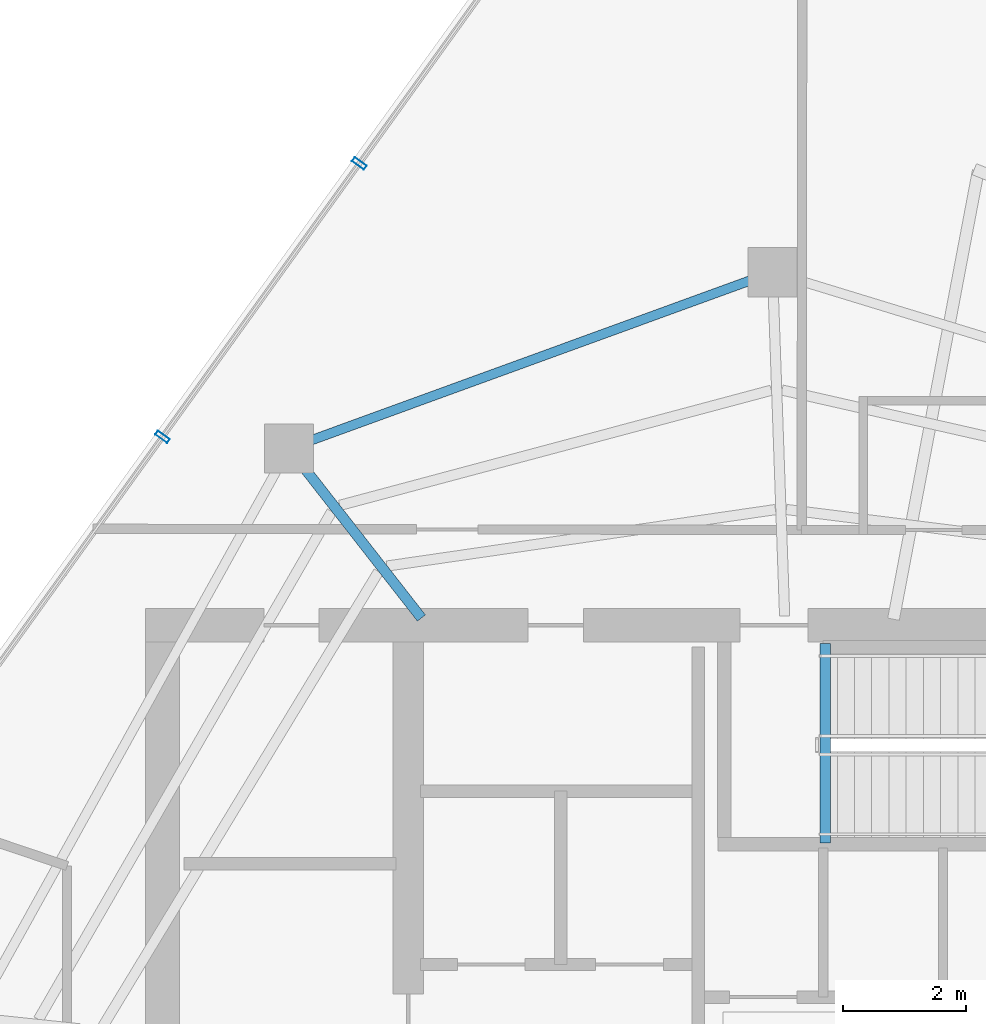
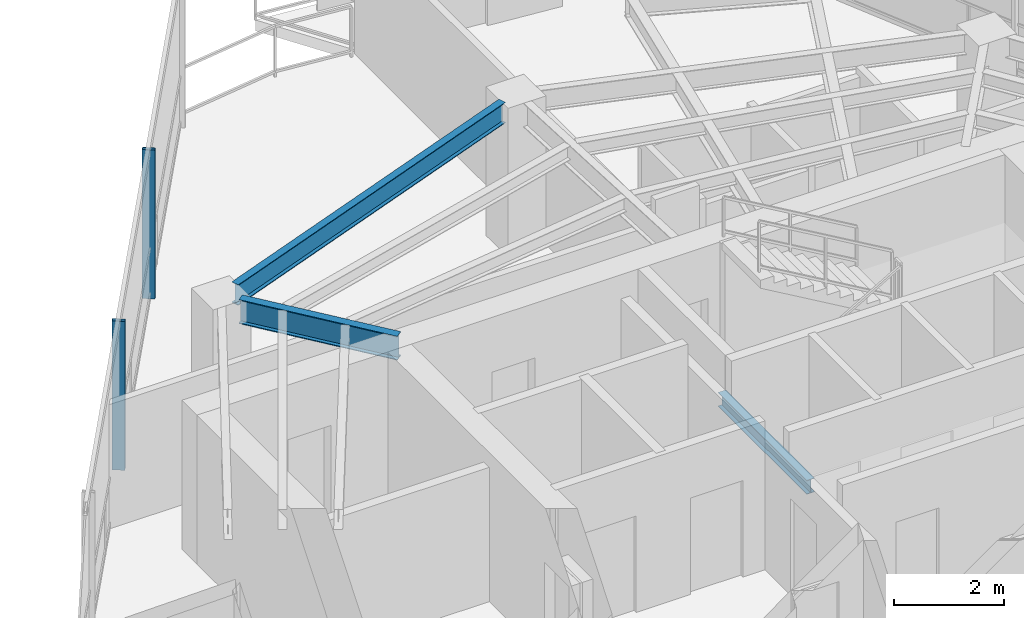
# One storey, part 8 of 18: 3 beams, 2 members, 1 element without a shape of its own.
"""IFC4 building model written with IfcOpenShell, lengths in metres."""

from ifc_helpers import new_model, si_unit, direction, frame, origin, origin_2d, place, context, subcontext, project, spatial, hollow_rectangle, i_section, extrude, material, layer, layer_set, material_profile, profile_set, type_object, element, aggregate, save


model = new_model("IFC4")

# Units and contexts
model_context = context("Model", 3, precision=1e-05, world=origin(), true_north=direction((0.0, 1.0)))
body_context = subcontext(model_context, "Body", "Model", "MODEL_VIEW")
ifc_project = project(units=[si_unit("LENGTHUNIT", "METRE"), si_unit("AREAUNIT", "SQUARE_METRE"), si_unit("VOLUMEUNIT", "CUBIC_METRE"), si_unit("PLANEANGLEUNIT", "RADIAN"), si_unit("MASSUNIT", "GRAM", prefix="KILO")], contexts=[model_context])

# Site, building, storey
site_placement = place(None, origin())
site = spatial("IfcSite", under=ifc_project, at=site_placement, CompositionType="ELEMENT")
building_placement = place(site_placement, origin())
building = spatial("IfcBuilding", under=site, at=building_placement, Name="Qarnah Convention Tower", CompositionType="ELEMENT")
storey_placement = place(building_placement, frame((0.0, 0.0, 271.5)))
storey = spatial("IfcBuildingStorey", under=building, at=storey_placement, Name="L73", CompositionType="ELEMENT", Elevation=271.5)

# Beams
ifc_material_1 = material(Name="Structural steel S355JR", Category="steel")
ifc_material_profile_1 = material_profile(ifc_material_1, i_section(OverallWidth=0.166015625, OverallDepth=0.31201171875, WebThickness=0.007080078125, FlangeThickness=0.010986328125, at=origin_2d()), Name="W310X45")
ifc_profile_set_1 = profile_set([ifc_material_profile_1], Name="Structural steel S355JR")
beam_type_1 = type_object("IfcBeamType", Name="BM-JST-W310", PredefinedType="JOIST", material=ifc_profile_set_1)
beam_1_placement = place(storey_placement, frame((37.5830078125, 30.659912109375, -0.156005859375), z_axis=(0.0, 1.0, 0.0), x_axis=(-1.0, 0.0, 0.0)))
element("IfcBeam", 1, at=beam_1_placement, inside=storey, type_object=beam_type_1, Name="L73 stair landing trimmer beam BM-L73-ST3-TRM", PredefinedType="BEAM", context=body_context, shape_type="SweptSolid", body=[
    extrude(i_section(OverallWidth=0.166015625, OverallDepth=0.31201171875, WebThickness=0.007080078125, FlangeThickness=0.010986328125, at=origin_2d()), origin(), (0.0, 0.0, 1.0), 3.239990234375),
])
ifc_material_profile_2 = material_profile(ifc_material_1, i_section(OverallWidth=0.166015625, OverallDepth=0.535888671875, WebThickness=0.010009765625, FlangeThickness=0.01708984375, at=origin_2d()), Name="W530X85")
ifc_profile_set_2 = profile_set([ifc_material_profile_2], Name="Structural steel S355JR")
beam_type_2 = type_object("IfcBeamType", Name="BM-RAD-W530B", PredefinedType="BEAM", material=ifc_profile_set_2)
beam_2_placement = place(storey_placement, frame((31.013916015625, 34.318115234375, 3.052001953125), z_axis=(-0.61549837076, 0.78813815768, 0.0), x_axis=(-0.78813815768, -0.61549837076, 0.0)))
element("IfcBeam", 2, at=beam_2_placement, inside=storey, type_object=beam_type_2, Name="L73 beam BM-L73-RAD-04", PredefinedType="BEAM", context=body_context, shape_type="SweptSolid", body=[
    extrude(i_section(OverallWidth=0.166015625, OverallDepth=0.535888671875, WebThickness=0.010009765625, FlangeThickness=0.01708984375, at=origin_2d()), origin(), (0.0, 0.0, 1.0), 3.12255859375),
])
ifc_material_profile_3 = material_profile(ifc_material_1, i_section(OverallWidth=0.154052734375, OverallDepth=0.4599609375, WebThickness=0.009033203125, FlangeThickness=0.014892578125, at=origin_2d()), Name="W460X68")
ifc_profile_set_3 = profile_set([ifc_material_profile_3], Name="Structural steel S355JR")
beam_type_3 = type_object("IfcBeamType", Name="BM-SPN-W460B", PredefinedType="SPANDREL", material=ifc_profile_set_3)
beam_3_placement = place(storey_placement, frame((36.361083984375, 39.80908203125, 3.090087890625), z_axis=(-0.939671356419, -0.342078561044, 0.0), x_axis=(0.342078561044, -0.939671356419, 0.0)))
element("IfcBeam", 3, at=beam_3_placement, inside=storey, type_object=beam_type_3, Name="L73 spandrel BM-L73-SPN-03", PredefinedType="SPANDREL", context=body_context, shape_type="SweptSolid", body=[
    extrude(i_section(OverallWidth=0.154052734375, OverallDepth=0.4599609375, WebThickness=0.009033203125, FlangeThickness=0.014892578125, at=origin_2d()), origin(), (0.0, 0.0, 1.0), 7.59521484375),
])

# Curtain wall, members
ifc_material_2 = material(Name="Tempered Low-E dark glass", Category="glass")
ifc_layer = layer(ifc_material_2, 0.176025390625)
ifc_layer_set = layer_set([ifc_layer], Name="Tempered Low-E dark glass")
curtain_wall_type = type_object("IfcCurtainWallType", Name="CWS-05", PredefinedType="NOTDEFINED", material=ifc_layer_set)
curtain_wall_placement = place(storey_placement, origin())
curtain_wall = element("IfcCurtainWall", 4, at=curtain_wall_placement, inside=storey, type_object=curtain_wall_type, Name="L73 unitised curtain wall CW-L73-F1", PredefinedType="NOTDEFINED")
ifc_material_3 = material(Name="Black anodised aluminium", Category="aluminium")
ifc_material_profile_4 = material_profile(ifc_material_3, hollow_rectangle(XDim=0.080078125, YDim=0.239990234375, WallThickness=0.0048828125, at=origin_2d()), Name="MUL-80X240")
ifc_profile_set_4 = profile_set([ifc_material_profile_4], Name="Black anodised aluminium")
member_type = type_object("IfcMemberType", Name="MUL-T5", PredefinedType="MULLION", material=ifc_profile_set_4)
member_1_placement = place(storey_placement, frame((26.801025390625, 37.265869140625, 0.0), z_axis=(0.0, 0.0, 1.0), x_axis=(0.584392195379, 0.811471356229, 0.0)))
member_1 = element("IfcMember", 5, at=member_1_placement, type_object=member_type, Name="CW-L73-F1 mullion 4", PredefinedType="MULLION", context=body_context, shape_type="SweptSolid", body=[
    extrude(hollow_rectangle(XDim=0.080078125, YDim=0.239990234375, WallThickness=0.0048828125, at=origin_2d()), origin(), (0.0, 0.0, 1.0), 3.320068359375),
])
member_2_placement = place(storey_placement, frame((30.00390625, 41.71337890625, 0.0), z_axis=(0.0, 0.0, 1.0), x_axis=(0.584392195379, 0.811471356229, 0.0)))
member_2 = element("IfcMember", 6, at=member_2_placement, type_object=member_type, Name="CW-L73-F1 mullion 5", PredefinedType="MULLION", context=body_context, shape_type="SweptSolid", body=[
    extrude(hollow_rectangle(XDim=0.080078125, YDim=0.239990234375, WallThickness=0.0048828125, at=origin_2d()), origin(), (0.0, 0.0, 1.0), 3.320068359375),
])
aggregate(curtain_wall, [member_1, member_2])

save(model, "model.ifc")
